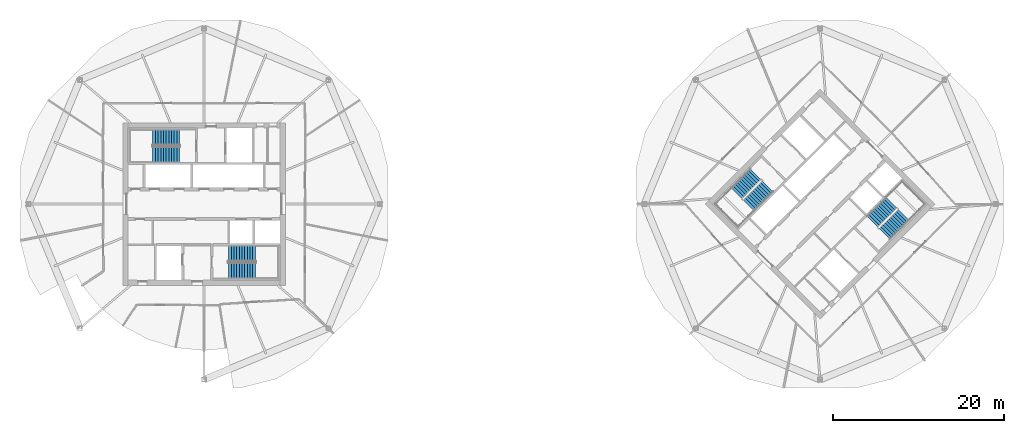
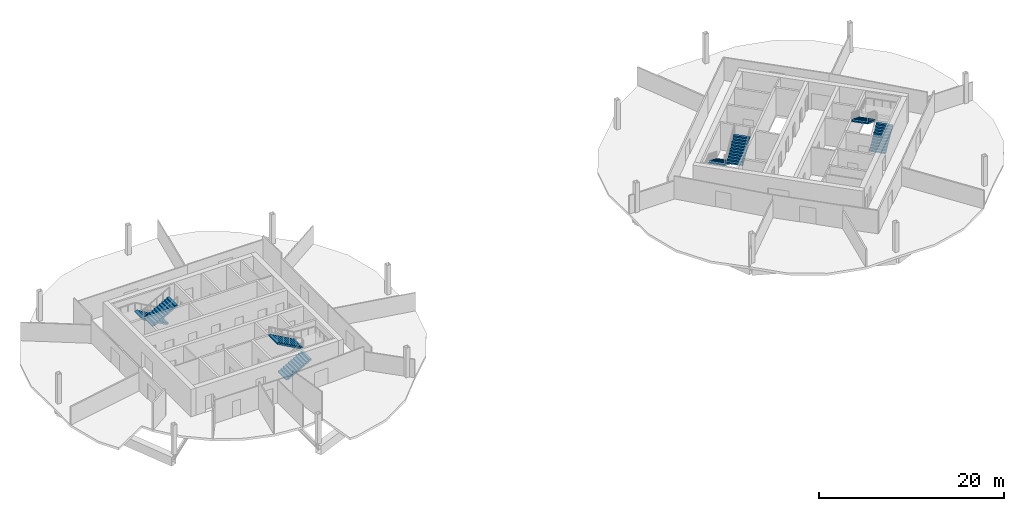
# One storey, part 8 of 9: 8 stair flights, 4 elements without a shape of their own.
"""IFC4 building model written with IfcOpenShell, lengths in metres."""

import ifcopenshell
import ifcopenshell.guid

model = None  # the IFC model being written
_history = None  # IfcOwnerHistory: only IFC2X3 demands one
_inside = {}  # id of a spatial element -> (the spatial element, [elements in it])
_under = {}  # id of a project, library or spatial element -> (it, [spatial elements below it])
_declared = {}  # id of a project -> (the project, [libraries it declares])
_typed = {}  # id of a type object -> (the type object, [elements of that type])
_made_of = {}  # id of a material, layer set ... -> (it, [elements and type objects made of it])


def new_model(schema):
    """Start an empty IFC model of exactly this schema.

    Asked for "IFC4X3", IfcOpenShell would pick the latest addendum, in which some entities
    have other attributes; the version numbers below select the first issue.
    IFC2X3 requires an IfcOwnerHistory on every rooted entity: one is made here for all.
    """
    global model, _history
    if schema == "IFC4X3":
        model = ifcopenshell.file(schema_version=(4, 3, 0, 0))
    else:
        model = ifcopenshell.file(schema=schema)
    _inside.clear()
    _under.clear()
    _declared.clear()
    _typed.clear()
    _made_of.clear()
    _history = None
    if model.schema == "IFC2X3":
        org = make("IfcOrganization", Name="unknown")
        user = make(
            "IfcPersonAndOrganization",
            ThePerson=make("IfcPerson", FamilyName="unknown"),
            TheOrganization=org,
        )
        app = make(
            "IfcApplication",
            ApplicationDeveloper=org,
            Version="unknown",
            ApplicationFullName="unknown",
            ApplicationIdentifier="unknown",
        )
        _history = make(
            "IfcOwnerHistory",
            OwningUser=user,
            OwningApplication=app,
            ChangeAction="ADDED",
            CreationDate=0,
        )
    return model


def make(cls, **values):
    """One entity of the class cls with the attributes given. An attribute that is None is left unset."""
    return model.create_entity(
        cls, **{name: value for name, value in values.items() if value is not None}
    )


def rooted(cls, **values):
    """An entity with a GlobalId (a new one), such as an element, a storey or a relation."""
    return make(cls, GlobalId=ifcopenshell.guid.new(), OwnerHistory=_history, **values)


def si_unit(unit_type, name, prefix=None):
    """IfcSIUnit, for example si_unit("LENGTHUNIT", "METRE", prefix="MILLI")."""
    return make("IfcSIUnit", UnitType=unit_type, Prefix=prefix, Name=name)


def assignment(units):
    """IfcUnitAssignment: the units of a project."""
    return None if units is None else make("IfcUnitAssignment", Units=units)


def point(xyz):
    """IfcCartesianPoint."""
    return None if xyz is None else make("IfcCartesianPoint", Coordinates=xyz)


def direction(xyz):
    """IfcDirection."""
    return None if xyz is None else make("IfcDirection", DirectionRatios=xyz)


def frame(location, z_axis=None, x_axis=None):
    """IfcAxis2Placement3D, a coordinate frame: its origin and axes. An axis left out is left unset."""
    return make(
        "IfcAxis2Placement3D",
        Location=point(location),
        Axis=direction(z_axis),
        RefDirection=direction(x_axis),
    )


def origin():
    """The frame at (0, 0, 0) with its axes left unset."""
    return frame((0.0, 0.0, 0.0))


def place(relative_to, where):
    """IfcLocalPlacement: puts the frame where relative to a parent placement (None: the world)."""
    return make(
        "IfcLocalPlacement", PlacementRelTo=relative_to, RelativePlacement=where
    )


def context(
    kind, dimensions, precision=None, world=None, true_north=None, identifier=None
):
    """IfcGeometricRepresentationContext, for example the 3D "Model" context."""
    return make(
        "IfcGeometricRepresentationContext",
        ContextIdentifier=identifier,
        ContextType=kind,
        CoordinateSpaceDimension=dimensions,
        Precision=precision,
        WorldCoordinateSystem=world,
        TrueNorth=true_north,
    )


def subcontext(parent, identifier, kind, view, scale=None):
    """IfcGeometricRepresentationSubContext, for example "Body" below "Model"."""
    return make(
        "IfcGeometricRepresentationSubContext",
        ContextIdentifier=identifier,
        ContextType=kind,
        ParentContext=parent,
        TargetScale=scale,
        TargetView=view,
    )


def project(units=None, contexts=None):
    """IfcProject with its units and contexts."""
    return rooted(
        "IfcProject",
        Name="project",
        RepresentationContexts=contexts,
        UnitsInContext=assignment(units),
    )


def spatial(cls, under=None, at=None, **own):
    """A site, building, storey or space (cls), placed at a placement, below another one or the project."""
    s = rooted(cls, ObjectPlacement=at, **own)
    if under is not None:
        _under.setdefault(under.id(), (under, []))[1].append(s)
    return s


def polyline(points):
    """IfcPolyline through the points."""
    return make("IfcPolyline", Points=[point(p) for p in points])


def outline(outer, holes=None, kind="AREA"):
    """IfcArbitraryClosedProfileDef: a profile drawn as a closed curve; with holes, ...WithVoids."""
    if holes is None:
        return make("IfcArbitraryClosedProfileDef", ProfileType=kind, OuterCurve=outer)
    return make(
        "IfcArbitraryProfileDefWithVoids",
        ProfileType=kind,
        OuterCurve=outer,
        InnerCurves=holes,
    )


def extrude(swept, where, along, depth):
    """IfcExtrudedAreaSolid: the profile swept, set in the frame where, extruded along a direction by depth."""
    return make(
        "IfcExtrudedAreaSolid",
        SweptArea=swept,
        Position=where,
        ExtrudedDirection=direction(along),
        Depth=depth,
    )


def shape(context_of_items, identifier, shape_type, items):
    """IfcShapeRepresentation: the items that make up one representation, for example the "Body"."""
    return make(
        "IfcShapeRepresentation",
        ContextOfItems=context_of_items,
        RepresentationIdentifier=identifier,
        RepresentationType=shape_type,
        Items=items,
    )


def material(Name=None, Category=None):
    """IfcMaterial."""
    return make("IfcMaterial", Name=Name, Category=Category)


def made_of(thing, what):
    """Note that an element or type object is made of a material, layer set ...; save() writes the relation."""
    if what is not None:
        _made_of.setdefault(what.id(), (what, []))[1].append(thing)
    return thing


def type_object(cls, material=None, **own):
    """A type object (cls), such as IfcWallType, which elements share."""
    return made_of(rooted(cls, **own), material)


def element(
    cls,
    number,
    at=None,
    inside=None,
    cuts=None,
    type_object=None,
    material=None,
    context=None,
    identifier="Body",
    shape_type=None,
    held_by="IfcProductDefinitionShape",
    body=None,
    shapes=None,
    **own,
):
    """One element of the class cls, such as IfcWall. Its Tag is "e" and its number.

    at: its placement. inside: the storey or other place that contains it. cuts: it is an
    opening in that element (IfcRelVoidsElement). A single representation is given by context,
    identifier, shape_type and body (its items); several are given by shapes. held_by: the class
    of the entity that holds the representations. save() writes the other relations.
    """
    e = rooted(cls, Tag="e%d" % number, ObjectPlacement=at, **own)
    if body is not None:
        shapes = [shape(context, identifier, shape_type, body)]
    if shapes is not None:
        e.Representation = make(held_by, Representations=shapes)
    if inside is not None:
        _inside.setdefault(inside.id(), (inside, []))[1].append(e)
    if cuts is not None:
        rooted(
            "IfcRelVoidsElement", RelatingBuildingElement=cuts, RelatedOpeningElement=e
        )
    if type_object is not None:
        _typed.setdefault(type_object.id(), (type_object, []))[1].append(e)
    return made_of(e, material)


def aggregate(whole, parts):
    """IfcRelAggregates: a whole, such as a stair, and the parts it consists of."""
    return rooted("IfcRelAggregates", RelatingObject=whole, RelatedObjects=parts)


def save(model, path):
    """Write the relations noted so far, then the file.

    IfcRelAggregates (storeys below a building ...), IfcRelContainedInSpatialStructure (elements
    in a storey), IfcRelDefinesByType, IfcRelAssociatesMaterial and IfcRelDeclares: one each for
    every whole, place, type object, material and project.
    """
    for whole, parts in _under.values():
        aggregate(whole, parts)
    for where, things in _inside.values():
        rooted(
            "IfcRelContainedInSpatialStructure",
            RelatedElements=things,
            RelatingStructure=where,
        )
    for kind, things in _typed.values():
        rooted("IfcRelDefinesByType", RelatedObjects=things, RelatingType=kind)
    for what, things in _made_of.values():
        rooted("IfcRelAssociatesMaterial", RelatedObjects=things, RelatingMaterial=what)
    for by, libraries in _declared.values():
        rooted("IfcRelDeclares", RelatingContext=by, RelatedDefinitions=libraries)
    model.write(path)


model = new_model("IFC4")

# Units and contexts
model_context = context("Model", 3, precision=1e-05, world=origin(), true_north=direction((0.0, 1.0)))
body_context = subcontext(model_context, "Body", "Model", "MODEL_VIEW")
ifc_project = project(units=[si_unit("LENGTHUNIT", "METRE"), si_unit("AREAUNIT", "SQUARE_METRE"), si_unit("VOLUMEUNIT", "CUBIC_METRE"), si_unit("PLANEANGLEUNIT", "RADIAN"), si_unit("MASSUNIT", "GRAM", prefix="KILO")], contexts=[model_context])

# Site, building, storey
site_placement = place(None, origin())
site = spatial("IfcSite", under=ifc_project, at=site_placement, CompositionType="ELEMENT")
building_placement = place(site_placement, origin())
building = spatial("IfcBuilding", under=site, at=building_placement, Name="Ogive Gate Towers", CompositionType="ELEMENT")
storey_placement = place(building_placement, frame((0.0, 0.0, 192.89990234375)))
storey = spatial("IfcBuildingStorey", under=building, at=storey_placement, Name="L46", CompositionType="ELEMENT", Elevation=192.89990234375)

# Stair, stair flights
ifc_material = material(Name="Concrete C40/50", Category="concrete")
stair_type = type_object("IfcStairType", Name="Escape stair 1840 wide", PredefinedType="HALF_TURN_STAIR", material=ifc_material)
stair_1_placement = place(storey_placement, origin())
stair_1 = element("IfcStair", 1, at=stair_1_placement, inside=storey, type_object=stair_type, Name="L46 Escape stair 1", PredefinedType="HALF_TURN_STAIR")
stair_flight_type = type_object("IfcStairFlightType", Name="Stair flight 1840 wide", PredefinedType="STRAIGHT", material=ifc_material)
stair_flight_1_placement = place(storey_placement, frame((-38.864990234375, 7.780029296875, 0.0), z_axis=(0.0, 0.0, 1.0), x_axis=(-1.0, 0.0, 0.0)))
stair_flight_1 = element("IfcStairFlight", 2, at=stair_flight_1_placement, type_object=stair_flight_type, Name="ST1 flight 1", NumberOfRisers=11, NumberOfTreads=10, PredefinedType="STRAIGHT", RiserHeight=0.177272727, TreadLength=0.313636364, context=body_context, shape_type="SweptSolid", body=[
    extrude(outline(polyline([(0.0, 0.0), (0.0, 0.17724609375), (0.313720703125, 0.17724609375), (0.313720703125, 0.3544921875), (0.627197265625, 0.3544921875), (0.627197265625, 0.53173828125), (0.94091796875, 0.53173828125), (0.94091796875, 0.708984375), (1.254638671875, 0.708984375), (1.254638671875, 0.886474609375), (1.568115234375, 0.886474609375), (1.568115234375, 1.063720703125), (1.8818359375, 1.063720703125), (1.8818359375, 1.240966796875), (2.195556640625, 1.240966796875), (2.195556640625, 1.418212890625), (2.509033203125, 1.418212890625), (2.509033203125, 1.595458984375), (2.82275390625, 1.595458984375), (2.82275390625, 1.772705078125), (3.136474609375, 1.772705078125), (3.136474609375, 1.949951171875), (3.136474609375, 1.6005859375), (0.3046875, 0.0), (0.0, 0.0)])), frame((0.0, 0.919921875, 0.0), z_axis=(0.0, -1.0, 0.0), x_axis=(1.0, 0.0, 0.0)), (0.0, 0.0, 1.0), 1.840087890625),
])
stair_flight_2_placement = place(storey_placement, frame((-42.00146484375, 5.794921875, 1.9501953125), z_axis=(0.0, 0.0, 1.0), x_axis=(1.0, 0.0, 0.0)))
stair_flight_2 = element("IfcStairFlight", 3, at=stair_flight_2_placement, type_object=stair_flight_type, Name="ST1 flight 2", NumberOfRisers=11, NumberOfTreads=10, PredefinedType="STRAIGHT", RiserHeight=0.177272727, TreadLength=0.313636364, context=body_context, shape_type="SweptSolid", body=[
    extrude(outline(polyline([(0.0, 0.0), (0.0, 0.17724609375), (0.313720703125, 0.17724609375), (0.313720703125, 0.3544921875), (0.627197265625, 0.3544921875), (0.627197265625, 0.53173828125), (0.94091796875, 0.53173828125), (0.94091796875, 0.708984375), (1.254638671875, 0.708984375), (1.254638671875, 0.886474609375), (1.568115234375, 0.886474609375), (1.568115234375, 1.063720703125), (1.8818359375, 1.063720703125), (1.8818359375, 1.240966796875), (2.195556640625, 1.240966796875), (2.195556640625, 1.418212890625), (2.509033203125, 1.418212890625), (2.509033203125, 1.595458984375), (2.82275390625, 1.595458984375), (2.82275390625, 1.772705078125), (3.136474609375, 1.772705078125), (3.136474609375, 1.949951171875), (3.136474609375, 1.6005859375), (0.3046875, 0.0), (0.0, 0.0)])), frame((0.0, 0.919921875, 0.0), z_axis=(0.0, -1.0, 0.0), x_axis=(1.0, 0.0, 0.0)), (0.0, 0.0, 1.0), 1.840087890625),
])
aggregate(stair_1, [stair_flight_1, stair_flight_2])

stair_2_placement = place(storey_placement, origin())
stair_2 = element("IfcStair", 4, at=stair_2_placement, inside=storey, type_object=stair_type, Name="L46 Escape stair 2", PredefinedType="HALF_TURN_STAIR")
stair_flight_3_placement = place(storey_placement, frame((-33.135009765625, -7.780029296875, 0.0), z_axis=(0.0, 0.0, 1.0), x_axis=(1.0, 0.0, 0.0)))
stair_flight_3 = element("IfcStairFlight", 5, at=stair_flight_3_placement, type_object=stair_flight_type, Name="ST2 flight 1", NumberOfRisers=11, NumberOfTreads=10, PredefinedType="STRAIGHT", RiserHeight=0.177272727, TreadLength=0.313636364, context=body_context, shape_type="SweptSolid", body=[
    extrude(outline(polyline([(0.0, 0.0), (0.0, 0.17724609375), (0.313720703125, 0.17724609375), (0.313720703125, 0.3544921875), (0.627197265625, 0.3544921875), (0.627197265625, 0.53173828125), (0.94091796875, 0.53173828125), (0.94091796875, 0.708984375), (1.254638671875, 0.708984375), (1.254638671875, 0.886474609375), (1.568115234375, 0.886474609375), (1.568115234375, 1.063720703125), (1.8818359375, 1.063720703125), (1.8818359375, 1.240966796875), (2.195556640625, 1.240966796875), (2.195556640625, 1.418212890625), (2.509033203125, 1.418212890625), (2.509033203125, 1.595458984375), (2.82275390625, 1.595458984375), (2.82275390625, 1.772705078125), (3.136474609375, 1.772705078125), (3.136474609375, 1.949951171875), (3.136474609375, 1.6005859375), (0.3046875, 0.0), (0.0, 0.0)])), frame((0.0, 0.919921875, 0.0), z_axis=(0.0, -1.0, 0.0), x_axis=(1.0, 0.0, 0.0)), (0.0, 0.0, 1.0), 1.840087890625),
])
stair_flight_4_placement = place(storey_placement, frame((-29.99853515625, -5.794921875, 1.9501953125), z_axis=(0.0, 0.0, 1.0), x_axis=(-1.0, 0.0, 0.0)))
stair_flight_4 = element("IfcStairFlight", 6, at=stair_flight_4_placement, type_object=stair_flight_type, Name="ST2 flight 2", NumberOfRisers=11, NumberOfTreads=10, PredefinedType="STRAIGHT", RiserHeight=0.177272727, TreadLength=0.313636364, context=body_context, shape_type="SweptSolid", body=[
    extrude(outline(polyline([(0.0, 0.0), (0.0, 0.17724609375), (0.313720703125, 0.17724609375), (0.313720703125, 0.3544921875), (0.627197265625, 0.3544921875), (0.627197265625, 0.53173828125), (0.94091796875, 0.53173828125), (0.94091796875, 0.708984375), (1.254638671875, 0.708984375), (1.254638671875, 0.886474609375), (1.568115234375, 0.886474609375), (1.568115234375, 1.063720703125), (1.8818359375, 1.063720703125), (1.8818359375, 1.240966796875), (2.195556640625, 1.240966796875), (2.195556640625, 1.418212890625), (2.509033203125, 1.418212890625), (2.509033203125, 1.595458984375), (2.82275390625, 1.595458984375), (2.82275390625, 1.772705078125), (3.136474609375, 1.772705078125), (3.136474609375, 1.949951171875), (3.136474609375, 1.6005859375), (0.3046875, 0.0), (0.0, 0.0)])), frame((0.0, 0.919921875, 0.0), z_axis=(0.0, -1.0, 0.0), x_axis=(1.0, 0.0, 0.0)), (0.0, 0.0, 1.0), 1.840087890625),
])
aggregate(stair_2, [stair_flight_3, stair_flight_4])

stair_3_placement = place(storey_placement, origin())
stair_3 = element("IfcStair", 7, at=stair_3_placement, inside=storey, type_object=stair_type, Name="L46 Escape stair 1", PredefinedType="HALF_TURN_STAIR")
stair_flight_5_placement = place(storey_placement, frame((28.472900390625, 3.475341796875, 0.0), z_axis=(0.0, 0.0, 1.0), x_axis=(-0.707106781187, -0.707106781187, 0.0)))
stair_flight_5 = element("IfcStairFlight", 8, at=stair_flight_5_placement, type_object=stair_flight_type, Name="ST1 flight 1", NumberOfRisers=11, NumberOfTreads=10, PredefinedType="STRAIGHT", RiserHeight=0.177272727, TreadLength=0.313636364, context=body_context, shape_type="SweptSolid", body=[
    extrude(outline(polyline([(0.0, 0.0), (0.0, 0.17724609375), (0.313720703125, 0.17724609375), (0.313720703125, 0.3544921875), (0.627197265625, 0.3544921875), (0.627197265625, 0.53173828125), (0.94091796875, 0.53173828125), (0.94091796875, 0.708984375), (1.254638671875, 0.708984375), (1.254638671875, 0.886474609375), (1.568115234375, 0.886474609375), (1.568115234375, 1.063720703125), (1.8818359375, 1.063720703125), (1.8818359375, 1.240966796875), (2.195556640625, 1.240966796875), (2.195556640625, 1.418212890625), (2.509033203125, 1.418212890625), (2.509033203125, 1.595458984375), (2.82275390625, 1.595458984375), (2.82275390625, 1.772705078125), (3.136474609375, 1.772705078125), (3.136474609375, 1.949951171875), (3.136474609375, 1.6005859375), (0.3046875, 0.0), (0.0, 0.0)])), frame((0.0, 0.919921875, 0.0), z_axis=(0.0, -1.0, 0.0), x_axis=(1.0, 0.0, 0.0)), (0.0, 0.0, 1.0), 1.840087890625),
])
stair_flight_6_placement = place(storey_placement, frame((27.65869140625, -0.14599609375, 1.9501953125), z_axis=(0.0, 0.0, 1.0), x_axis=(0.707106781187, 0.707106781187, 0.0)))
stair_flight_6 = element("IfcStairFlight", 9, at=stair_flight_6_placement, type_object=stair_flight_type, Name="ST1 flight 2", NumberOfRisers=11, NumberOfTreads=10, PredefinedType="STRAIGHT", RiserHeight=0.177272727, TreadLength=0.313636364, context=body_context, shape_type="SweptSolid", body=[
    extrude(outline(polyline([(0.0, 0.0), (0.0, 0.17724609375), (0.313720703125, 0.17724609375), (0.313720703125, 0.3544921875), (0.627197265625, 0.3544921875), (0.627197265625, 0.53173828125), (0.94091796875, 0.53173828125), (0.94091796875, 0.708984375), (1.254638671875, 0.708984375), (1.254638671875, 0.886474609375), (1.568115234375, 0.886474609375), (1.568115234375, 1.063720703125), (1.8818359375, 1.063720703125), (1.8818359375, 1.240966796875), (2.195556640625, 1.240966796875), (2.195556640625, 1.418212890625), (2.509033203125, 1.418212890625), (2.509033203125, 1.595458984375), (2.82275390625, 1.595458984375), (2.82275390625, 1.772705078125), (3.136474609375, 1.772705078125), (3.136474609375, 1.949951171875), (3.136474609375, 1.6005859375), (0.3046875, 0.0), (0.0, 0.0)])), frame((0.0, 0.919921875, 0.0), z_axis=(0.0, -1.0, 0.0), x_axis=(1.0, 0.0, 0.0)), (0.0, 0.0, 1.0), 1.840087890625),
])
aggregate(stair_3, [stair_flight_5, stair_flight_6])

stair_4_placement = place(storey_placement, origin())
stair_4 = element("IfcStair", 10, at=stair_4_placement, inside=storey, type_object=stair_type, Name="L46 Escape stair 2", PredefinedType="HALF_TURN_STAIR")
stair_flight_7_placement = place(storey_placement, frame((43.527099609375, -3.475341796875, 0.0), z_axis=(0.0, 0.0, 1.0), x_axis=(0.707106781187, 0.707106781187, 0.0)))
stair_flight_7 = element("IfcStairFlight", 11, at=stair_flight_7_placement, type_object=stair_flight_type, Name="ST2 flight 1", NumberOfRisers=11, NumberOfTreads=10, PredefinedType="STRAIGHT", RiserHeight=0.177272727, TreadLength=0.313636364, context=body_context, shape_type="SweptSolid", body=[
    extrude(outline(polyline([(0.0, 0.0), (0.0, 0.17724609375), (0.313720703125, 0.17724609375), (0.313720703125, 0.3544921875), (0.627197265625, 0.3544921875), (0.627197265625, 0.53173828125), (0.94091796875, 0.53173828125), (0.94091796875, 0.708984375), (1.254638671875, 0.708984375), (1.254638671875, 0.886474609375), (1.568115234375, 0.886474609375), (1.568115234375, 1.063720703125), (1.8818359375, 1.063720703125), (1.8818359375, 1.240966796875), (2.195556640625, 1.240966796875), (2.195556640625, 1.418212890625), (2.509033203125, 1.418212890625), (2.509033203125, 1.595458984375), (2.82275390625, 1.595458984375), (2.82275390625, 1.772705078125), (3.136474609375, 1.772705078125), (3.136474609375, 1.949951171875), (3.136474609375, 1.6005859375), (0.3046875, 0.0), (0.0, 0.0)])), frame((0.0, 0.919921875, 0.0), z_axis=(0.0, -1.0, 0.0), x_axis=(1.0, 0.0, 0.0)), (0.0, 0.0, 1.0), 1.840087890625),
])
stair_flight_8_placement = place(storey_placement, frame((44.34130859375, 0.14599609375, 1.9501953125), z_axis=(0.0, 0.0, 1.0), x_axis=(-0.707106781187, -0.707106781187, 0.0)))
stair_flight_8 = element("IfcStairFlight", 12, at=stair_flight_8_placement, type_object=stair_flight_type, Name="ST2 flight 2", NumberOfRisers=11, NumberOfTreads=10, PredefinedType="STRAIGHT", RiserHeight=0.177272727, TreadLength=0.313636364, context=body_context, shape_type="SweptSolid", body=[
    extrude(outline(polyline([(0.0, 0.0), (0.0, 0.17724609375), (0.313720703125, 0.17724609375), (0.313720703125, 0.3544921875), (0.627197265625, 0.3544921875), (0.627197265625, 0.53173828125), (0.94091796875, 0.53173828125), (0.94091796875, 0.708984375), (1.254638671875, 0.708984375), (1.254638671875, 0.886474609375), (1.568115234375, 0.886474609375), (1.568115234375, 1.063720703125), (1.8818359375, 1.063720703125), (1.8818359375, 1.240966796875), (2.195556640625, 1.240966796875), (2.195556640625, 1.418212890625), (2.509033203125, 1.418212890625), (2.509033203125, 1.595458984375), (2.82275390625, 1.595458984375), (2.82275390625, 1.772705078125), (3.136474609375, 1.772705078125), (3.136474609375, 1.949951171875), (3.136474609375, 1.6005859375), (0.3046875, 0.0), (0.0, 0.0)])), frame((0.0, 0.919921875, 0.0), z_axis=(0.0, -1.0, 0.0), x_axis=(1.0, 0.0, 0.0)), (0.0, 0.0, 1.0), 1.840087890625),
])
aggregate(stair_4, [stair_flight_7, stair_flight_8])

save(model, "model.ifc")
